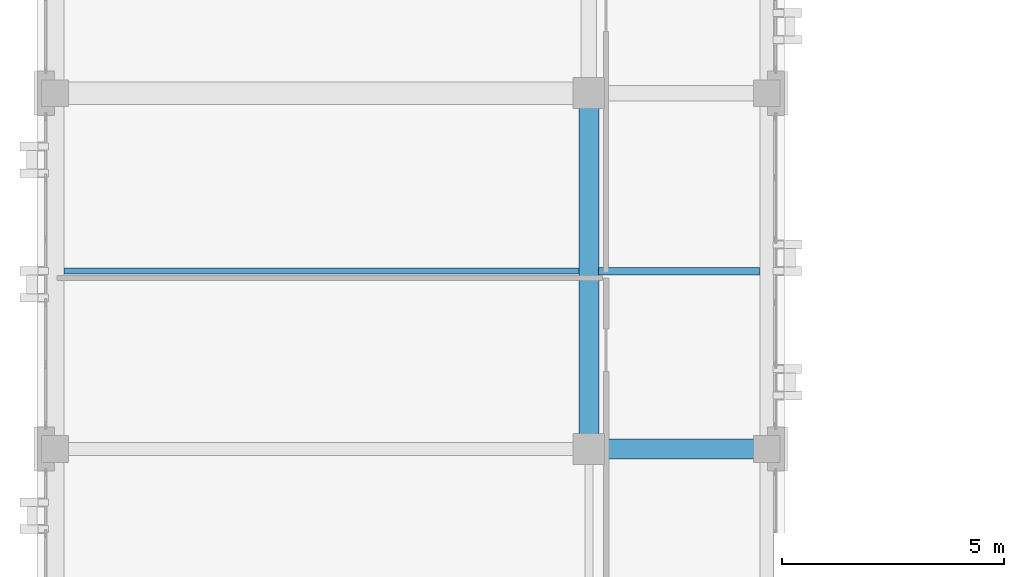
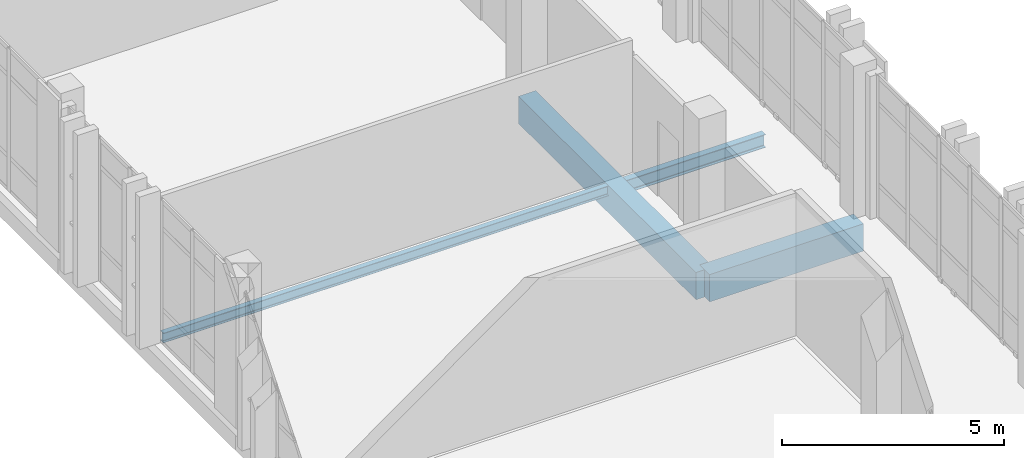
# One storey, part 14 of 90: 4 beams.
"""IFC4 building model written with IfcOpenShell, lengths in metres."""

from ifc_helpers import new_model, si_unit, direction, frame, origin, origin_2d, place, context, subcontext, project, spatial, rectangle, i_section, extrude, material, material_profile, profile_set, type_object, element, save


model = new_model("IFC4")

# Units and contexts
model_context = context("Model", 3, precision=1e-05, world=origin(), true_north=direction((0.0, 1.0)))
body_context = subcontext(model_context, "Body", "Model", "MODEL_VIEW")
ifc_project = project(units=[si_unit("LENGTHUNIT", "METRE"), si_unit("AREAUNIT", "SQUARE_METRE"), si_unit("VOLUMEUNIT", "CUBIC_METRE"), si_unit("PLANEANGLEUNIT", "RADIAN"), si_unit("MASSUNIT", "GRAM", prefix="KILO")], contexts=[model_context])

# Site, building, storey
site_placement = place(None, origin())
site = spatial("IfcSite", under=ifc_project, at=site_placement, CompositionType="ELEMENT")
building_placement = place(site_placement, origin())
building = spatial("IfcBuilding", under=site, at=building_placement, Name="Qalavern Law Courts", CompositionType="ELEMENT")
storey_placement = place(building_placement, frame((0.0, 0.0, 22.800048828125)))
storey = spatial("IfcBuildingStorey", under=building, at=storey_placement, Name="L05", CompositionType="ELEMENT", Elevation=22.800048828125)

# Beams
ifc_material_1 = material(Name="Concrete C40/50", Category="concrete")
ifc_material_profile_1 = material_profile(ifc_material_1, rectangle(XDim=0.449951171875, YDim=0.75, at=origin_2d()), Name="RC 450x750")
ifc_profile_set_1 = profile_set([ifc_material_profile_1], Name="Concrete C40/50")
beam_type_1 = type_object("IfcBeamType", Name="STR-BM-RC450x750", PredefinedType="BEAM", material=ifc_profile_set_1)
beam_1_placement = place(storey_placement, frame((14.39990234375, 65.39990234375, -0.650146484375), z_axis=(1.0, 0.0, 0.0), x_axis=(0.0, 1.0, 0.0)))
element("IfcBeam", 1, at=beam_1_placement, inside=storey, type_object=beam_type_1, Name="V3 X-beam 4-2 L05", PredefinedType="BEAM", context=body_context, shape_type="SweptSolid", body=[
    extrude(rectangle(XDim=0.449951171875, YDim=0.75, at=origin_2d()), origin(), (0.0, 0.0, 1.0), 4.0),
])
beam_2_placement = place(storey_placement, frame((14.39990234375, 65.39990234375, -0.650146484375), z_axis=(0.0, 1.0, 0.0), x_axis=(-1.0, 0.0, 0.0)))
element("IfcBeam", 2, at=beam_2_placement, inside=storey, type_object=beam_type_1, Name="V3 Y-beam 2-4 L05", PredefinedType="BEAM", context=body_context, shape_type="SweptSolid", body=[
    extrude(rectangle(XDim=0.449951171875, YDim=0.75, at=origin_2d()), origin(), (0.0, 0.0, 1.0), 8.0),
])
ifc_material_2 = material(Name="Steel S355", Category="steel")
ifc_material_profile_2 = material_profile(ifc_material_2, i_section(OverallWidth=0.135009765625, OverallDepth=0.27001953125, WebThickness=0.006591796875, FlangeThickness=0.01025390625, FilletRadius=0.014892578125, at=origin_2d()), Name="IPE 270")
ifc_profile_set_2 = profile_set([ifc_material_profile_2], Name="Steel S355")
beam_type_2 = type_object("IfcBeamType", Name="STR-JST-IPE270", PredefinedType="JOIST", material=ifc_profile_set_2)
beam_3_placement = place(storey_placement, frame((2.597900390625, 69.39990234375, -0.41015625), z_axis=(1.0, 0.0, 0.0), x_axis=(0.0, 1.0, 0.0)))
element("IfcBeam", 3, at=beam_3_placement, inside=storey, type_object=beam_type_2, Name="V3 secondary joist 1.4.1 L05", PredefinedType="JOIST", context=body_context, shape_type="SweptSolid", body=[
    extrude(i_section(OverallWidth=0.135009765625, OverallDepth=0.27001953125, WebThickness=0.006591796875, FlangeThickness=0.01025390625, FilletRadius=0.014892578125, at=origin_2d()), origin(), (0.0, 0.0, 1.0), 11.5791015625),
])
ifc_material_profile_3 = material_profile(ifc_material_2, i_section(OverallWidth=0.169921875, OverallDepth=0.360107421875, WebThickness=0.008056640625, FlangeThickness=0.0126953125, FilletRadius=0.01806640625, at=origin_2d()), Name="IPE 360")
ifc_profile_set_3 = profile_set([ifc_material_profile_3], Name="Steel S355")
beam_type_3 = type_object("IfcBeamType", Name="STR-JST-IPE360", PredefinedType="JOIST", material=ifc_profile_set_3)
beam_4_placement = place(storey_placement, frame((14.623046875, 69.39990234375, -0.455078125), z_axis=(1.0, 0.0, 0.0), x_axis=(0.0, 1.0, 0.0)))
element("IfcBeam", 4, at=beam_4_placement, inside=storey, type_object=beam_type_3, Name="V3 secondary joist 2.4.1 L05", PredefinedType="JOIST", context=body_context, shape_type="SweptSolid", body=[
    extrude(i_section(OverallWidth=0.169921875, OverallDepth=0.360107421875, WebThickness=0.008056640625, FlangeThickness=0.0126953125, FilletRadius=0.01806640625, at=origin_2d()), origin(), (0.0, 0.0, 1.0), 3.62890625),
])

save(model, "model.ifc")
